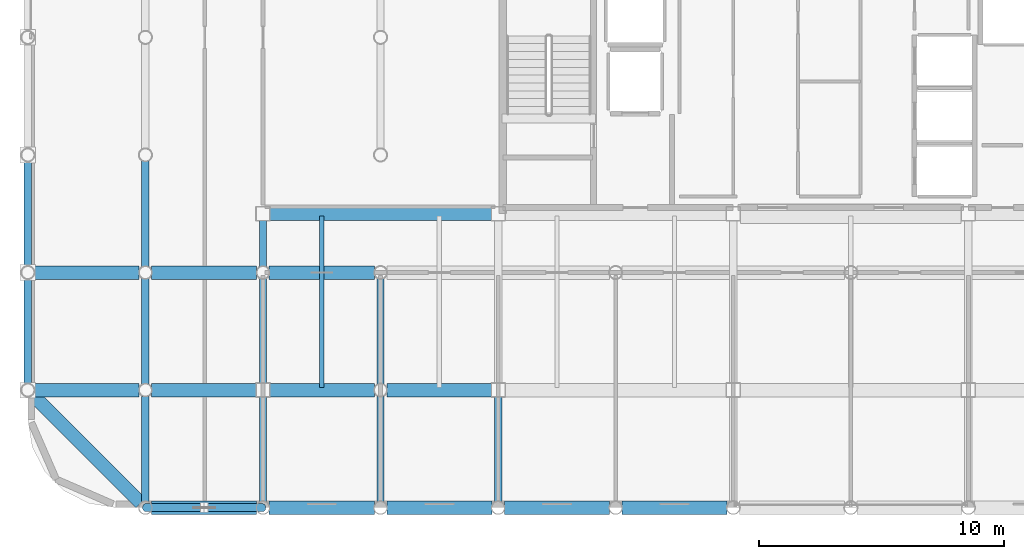
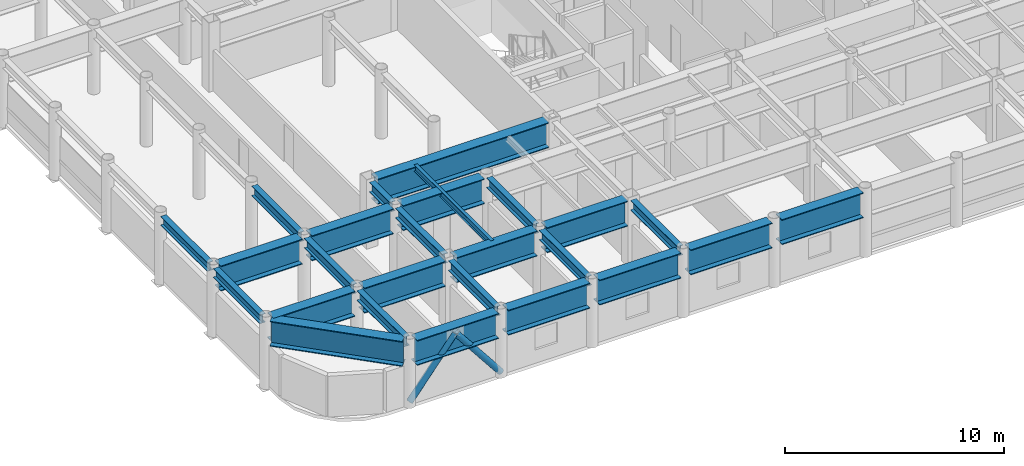
# One storey, part 3 of 25: 26 beams, 2 members.
"""IFC4 building model written with IfcOpenShell, lengths in metres."""

from ifc_helpers import new_model, si_unit, direction, frame, origin, origin_2d, place, context, subcontext, project, spatial, hollow_circle, i_section, extrude, material, material_profile, profile_set, type_object, element, save


model = new_model("IFC4")

# Units and contexts
model_context = context("Model", 3, precision=1e-05, world=origin(), true_north=direction((0.0, 1.0)))
body_context = subcontext(model_context, "Body", "Model", "MODEL_VIEW")
ifc_project = project(units=[si_unit("LENGTHUNIT", "METRE"), si_unit("AREAUNIT", "SQUARE_METRE"), si_unit("VOLUMEUNIT", "CUBIC_METRE"), si_unit("PLANEANGLEUNIT", "RADIAN"), si_unit("MASSUNIT", "GRAM", prefix="KILO")], contexts=[model_context])

# Site, building, storey
site_placement = place(None, origin())
site = spatial("IfcSite", under=ifc_project, at=site_placement, CompositionType="ELEMENT")
building_placement = place(site_placement, origin())
building = spatial("IfcBuilding", under=site, at=building_placement, Name="Kallvorn Hotel Tower", CompositionType="ELEMENT")
storey_placement = place(building_placement, frame((0.0, 0.0, 249.25)))
storey = spatial("IfcBuildingStorey", under=building, at=storey_placement, Name="L62", CompositionType="ELEMENT", Elevation=249.25)

# Beams
ifc_material_1 = material(Name="Structural steel S355JR", Category="steel")
ifc_material_profile_1 = material_profile(ifc_material_1, i_section(OverallWidth=0.300048828125, OverallDepth=0.5, WebThickness=0.014404296875, FlangeThickness=0.028076171875, at=origin_2d()), Name="HE 500 B")
ifc_profile_set_1 = profile_set([ifc_material_profile_1], Name="Structural steel S355JR")
beam_type_1 = type_object("IfcBeamType", Name="BM_HE500B", PredefinedType="SPANDREL", material=ifc_profile_set_1)
beam_1_placement = place(storey_placement, frame((-33.60009765625, -14.130615234375, 3.419921875), z_axis=(0.0, 1.0, 0.0), x_axis=(-1.0, 0.0, 0.0)))
element("IfcBeam", 1, at=beam_1_placement, inside=storey, type_object=beam_type_1, Name="L63 Perimeter Spandrel 174", PredefinedType="SPANDREL", context=body_context, shape_type="SweptSolid", body=[
    extrude(i_section(OverallWidth=0.300048828125, OverallDepth=0.5, WebThickness=0.014404296875, FlangeThickness=0.028076171875, at=origin_2d()), origin(), (0.0, 0.0, 1.0), 4.26123046875),
])
beam_2_placement = place(storey_placement, frame((-33.60009765625, -9.33056640625, 3.419921875), z_axis=(0.0, 1.0, 0.0), x_axis=(-1.0, 0.0, 0.0)))
element("IfcBeam", 2, at=beam_2_placement, inside=storey, type_object=beam_type_1, Name="L63 Perimeter Spandrel 175", PredefinedType="SPANDREL", context=body_context, shape_type="SweptSolid", body=[
    extrude(i_section(OverallWidth=0.300048828125, OverallDepth=0.5, WebThickness=0.014404296875, FlangeThickness=0.028076171875, at=origin_2d()), origin(), (0.0, 0.0, 1.0), 4.260986328125),
])
ifc_material_2 = material(Name="Structural steel S355JR", Category="steel")
ifc_material_profile_2 = material_profile(ifc_material_2, i_section(OverallWidth=0.300048828125, OverallDepth=0.550048828125, WebThickness=0.014892578125, FlangeThickness=0.029052734375, at=origin_2d()), Name="HE 550 B")
ifc_profile_set_2 = profile_set([ifc_material_profile_2], Name="Structural steel S355JR")
beam_type_2 = type_object("IfcBeamType", Name="BM_HE550B", PredefinedType="SPANDREL", material=ifc_profile_set_2)
for number, where, z_axis, x_axis, name in (
    (3, (-28.800048828125, -18.945556640625, 3.39501953125), (0.0, 1.0, 0.0), (-1.0, 0.0, 0.0), "L63 Primary Y-Girder 73"),
    (4, (-28.800048828125, -14.1455078125, 3.39501953125), (0.0, 1.0, 0.0), (-1.0, 0.0, 0.0), "L63 Primary Y-Girder 74"),
    (5, (-28.800048828125, -9.345458984375, 3.39501953125), (0.0, 1.0, 0.0), (-1.0, 0.0, 0.0), "L63 Primary Y-Girder 75"),
):
    element("IfcBeam", number, at=place(storey_placement, frame(where, z_axis=z_axis, x_axis=x_axis)), inside=storey, type_object=beam_type_2, Name=name, PredefinedType="SPANDREL", context=body_context, shape_type="SweptSolid", body=[
        extrude(i_section(OverallWidth=0.300048828125, OverallDepth=0.550048828125, WebThickness=0.014892578125, FlangeThickness=0.029052734375, at=origin_2d()), origin(), (0.0, 0.0, 1.0), 4.291015625),
    ])
for number, where, z_axis, x_axis, name in (
    (6, (-24.0, -18.945556640625, 3.39501953125), (0.0, 1.0, 0.0), (-1.0, 0.0, 0.0), "L63 Primary Y-Girder 82"),
    (7, (-24.0, -14.125, 3.39501953125), (0.0, 1.0, 0.0), (-1.0, 0.0, 0.0), "L63 Primary Y-Girder 83"),
):
    element("IfcBeam", number, at=place(storey_placement, frame(where, z_axis=z_axis, x_axis=x_axis)), inside=storey, type_object=beam_type_2, Name=name, PredefinedType="SPANDREL", context=body_context, shape_type="SweptSolid", body=[
        extrude(i_section(OverallWidth=0.300048828125, OverallDepth=0.550048828125, WebThickness=0.014892578125, FlangeThickness=0.029052734375, at=origin_2d()), origin(), (0.0, 0.0, 1.0), 4.2705078125),
    ])
beam_3_placement = place(storey_placement, frame((-24.0, -9.345458984375, 3.39501953125), z_axis=(0.0, 1.0, 0.0), x_axis=(-1.0, 0.0, 0.0)))
element("IfcBeam", 8, at=beam_3_placement, inside=storey, type_object=beam_type_2, Name="L63 Primary Y-Girder 84", PredefinedType="SPANDREL", context=body_context, shape_type="SweptSolid", body=[
    extrude(i_section(OverallWidth=0.300048828125, OverallDepth=0.550048828125, WebThickness=0.014892578125, FlangeThickness=0.029052734375, at=origin_2d()), origin(), (0.0, 0.0, 1.0), 1.870361328125),
])
for number, where, z_axis, x_axis, name in (
    (9, (-19.199951171875, -18.945556640625, 3.39501953125), (0.0, 1.0, 0.0), (-1.0, 0.0, 0.0), "L63 Primary Y-Girder 89"),
    (10, (-19.199951171875, -14.1455078125, 3.39501953125), (0.0, 1.0, 0.0), (-1.0, 0.0, 0.0), "L63 Primary Y-Girder 90"),
):
    element("IfcBeam", number, at=place(storey_placement, frame(where, z_axis=z_axis, x_axis=x_axis)), inside=storey, type_object=beam_type_2, Name=name, PredefinedType="SPANDREL", context=body_context, shape_type="SweptSolid", body=[
        extrude(i_section(OverallWidth=0.300048828125, OverallDepth=0.550048828125, WebThickness=0.014892578125, FlangeThickness=0.029052734375, at=origin_2d()), origin(), (0.0, 0.0, 1.0), 4.291015625),
    ])
beam_4_placement = place(storey_placement, frame((-14.39990234375, -18.945556640625, 3.39501953125), z_axis=(0.0, 1.0, 0.0), x_axis=(-1.0, 0.0, 0.0)))
element("IfcBeam", 11, at=beam_4_placement, inside=storey, type_object=beam_type_2, Name="L63 Primary Y-Girder 98", PredefinedType="SPANDREL", context=body_context, shape_type="SweptSolid", body=[
    extrude(i_section(OverallWidth=0.300048828125, OverallDepth=0.550048828125, WebThickness=0.014892578125, FlangeThickness=0.029052734375, at=origin_2d()), origin(), (0.0, 0.0, 1.0), 4.2705078125),
])
ifc_material_3 = material(Name="Structural steel S355JR", Category="steel")
ifc_material_profile_3 = material_profile(ifc_material_3, i_section(OverallWidth=0.169921875, OverallDepth=0.360107421875, WebThickness=0.008056640625, FlangeThickness=0.0126953125, at=origin_2d()), Name="IPE 360")
ifc_profile_set_3 = profile_set([ifc_material_profile_3], Name="Structural steel S355JR")
beam_type_3 = type_object("IfcBeamType", Name="BM_IPE360", PredefinedType="JOIST", material=ifc_profile_set_3)
beam_5_placement = place(storey_placement, frame((-21.60009765625, -14.300048828125, 3.489990234375), z_axis=(0.0, 1.0, 0.0), x_axis=(-1.0, 0.0, 0.0)))
element("IfcBeam", 12, at=beam_5_placement, inside=storey, type_object=beam_type_3, Name="L63 Secondary Composite Joist 192", PredefinedType="JOIST", context=body_context, shape_type="SweptSolid", body=[
    extrude(i_section(OverallWidth=0.169921875, OverallDepth=0.360107421875, WebThickness=0.008056640625, FlangeThickness=0.0126953125, at=origin_2d()), origin(), (0.0, 0.0, 1.0), 7.0),
])
ifc_material_4 = material(Name="Structural steel S355JR", Category="steel")
ifc_material_profile_4 = material_profile(ifc_material_4, i_section(OverallWidth=0.550048828125, OverallDepth=1.39990234375, WebThickness=0.02490234375, FlangeThickness=0.044921875, at=origin_2d()), Name="PG 1400x550x25x45")
ifc_profile_set_4 = profile_set([ifc_material_profile_4], Name="Structural steel S355JR")
beam_type_4 = type_object("IfcBeamType", Name="BM_PG_1400", PredefinedType="BEAM", material=ifc_profile_set_4)
for number, where, z_axis, x_axis, name in (
    (13, (-28.54541015625, -19.199951171875, 2.969970703125), (1.0, 0.0, 0.0), (0.0, 1.0, 0.0), "L63 Primary X-Girder 01"),
    (14, (-23.74560546875, -19.199951171875, 2.969970703125), (1.0, 0.0, 0.0), (0.0, 1.0, 0.0), "L63 Primary X-Girder 02"),
    (15, (-18.945556640625, -19.199951171875, 2.969970703125), (1.0, 0.0, 0.0), (0.0, 1.0, 0.0), "L63 Primary X-Girder 03"),
    (16, (-14.1455078125, -19.199951171875, 2.969970703125), (1.0, 0.0, 0.0), (0.0, 1.0, 0.0), "L63 Primary X-Girder 04"),
    (17, (-9.345458984375, -19.199951171875, 2.969970703125), (1.0, 0.0, 0.0), (0.0, 1.0, 0.0), "L63 Primary X-Girder 05"),
    (18, (-33.345458984375, -14.39990234375, 2.969970703125), (1.0, 0.0, 0.0), (0.0, 1.0, 0.0), "L63 Primary X-Girder 13"),
):
    element("IfcBeam", number, at=place(storey_placement, frame(where, z_axis=z_axis, x_axis=x_axis)), inside=storey, type_object=beam_type_4, Name=name, PredefinedType="BEAM", context=body_context, shape_type="SweptSolid", body=[
        extrude(i_section(OverallWidth=0.550048828125, OverallDepth=1.39990234375, WebThickness=0.02490234375, FlangeThickness=0.044921875, at=origin_2d()), origin(), (0.0, 0.0, 1.0), 4.291015625),
    ])
for number, where, z_axis, x_axis, name in (
    (19, (-28.54541015625, -14.39990234375, 2.969970703125), (1.0, 0.0, 0.0), (0.0, 1.0, 0.0), "L63 Primary X-Girder 14"),
    (20, (-23.72509765625, -14.39990234375, 2.969970703125), (1.0, 0.0, 0.0), (0.0, 1.0, 0.0), "L63 Primary X-Girder 15"),
    (21, (-18.945556640625, -14.39990234375, 2.969970703125), (1.0, 0.0, 0.0), (0.0, 1.0, 0.0), "L63 Primary X-Girder 16"),
):
    element("IfcBeam", number, at=place(storey_placement, frame(where, z_axis=z_axis, x_axis=x_axis)), inside=storey, type_object=beam_type_4, Name=name, PredefinedType="BEAM", context=body_context, shape_type="SweptSolid", body=[
        extrude(i_section(OverallWidth=0.550048828125, OverallDepth=1.39990234375, WebThickness=0.02490234375, FlangeThickness=0.044921875, at=origin_2d()), origin(), (0.0, 0.0, 1.0), 4.2705078125),
    ])
for number, where, z_axis, x_axis, name in (
    (22, (-33.345458984375, -9.60009765625, 2.969970703125), (1.0, 0.0, 0.0), (0.0, 1.0, 0.0), "L63 Primary X-Girder 23"),
    (23, (-28.54541015625, -9.60009765625, 2.969970703125), (1.0, 0.0, 0.0), (0.0, 1.0, 0.0), "L63 Primary X-Girder 24"),
    (24, (-23.74560546875, -9.60009765625, 2.969970703125), (1.0, 0.0, 0.0), (0.0, 1.0, 0.0), "L63 Primary X-Girder 25"),
):
    element("IfcBeam", number, at=place(storey_placement, frame(where, z_axis=z_axis, x_axis=x_axis)), inside=storey, type_object=beam_type_4, Name=name, PredefinedType="BEAM", context=body_context, shape_type="SweptSolid", body=[
        extrude(i_section(OverallWidth=0.550048828125, OverallDepth=1.39990234375, WebThickness=0.02490234375, FlangeThickness=0.044921875, at=origin_2d()), origin(), (0.0, 0.0, 1.0), 4.291015625),
    ])
beam_6_placement = place(storey_placement, frame((-23.72509765625, -7.199951171875, 2.969970703125), z_axis=(1.0, 0.0, 0.0), x_axis=(0.0, 1.0, 0.0)))
element("IfcBeam", 25, at=beam_6_placement, inside=storey, type_object=beam_type_4, Name="L63 Primary X-Girder 32", PredefinedType="BEAM", context=body_context, shape_type="SweptSolid", body=[
    extrude(i_section(OverallWidth=0.550048828125, OverallDepth=1.39990234375, WebThickness=0.02490234375, FlangeThickness=0.044921875, at=origin_2d()), origin(), (0.0, 0.0, 1.0), 9.050048828125),
])
beam_7_placement = place(storey_placement, frame((-33.409423828125, -14.590576171875, 2.969970703125), z_axis=(0.707106781187, -0.707106781187, 0.0), x_axis=(0.707106781187, 0.707106781187, 0.0)))
element("IfcBeam", 26, at=beam_7_placement, inside=storey, type_object=beam_type_4, Name="L63 Rounded Corner Tie Beam 189", PredefinedType="BEAM", context=body_context, shape_type="SweptSolid", body=[
    extrude(i_section(OverallWidth=0.550048828125, OverallDepth=1.39990234375, WebThickness=0.02490234375, FlangeThickness=0.044921875, at=origin_2d()), origin(), (0.0, 0.0, 1.0), 6.249267578125),
])

# Members
ifc_material_5 = material(Name="Structural steel S355J2H", Category="steel")
ifc_material_profile_5 = material_profile(ifc_material_5, hollow_circle(Radius=0.161865234375, WallThickness=0.012451171875, at=origin_2d()), Name="CHS 323.9x12.5")
ifc_profile_set_5 = profile_set([ifc_material_profile_5], Name="Structural steel S355J2H")
member_type = type_object("IfcMemberType", Name="MBR_EXO_CHS323", PredefinedType="BRACE", material=ifc_profile_set_5)
for number, where, z_axis, x_axis, name in (
    (27, (-28.78759765625, -19.199951171875, 0.19580078125), (0.620928510901, 0.0, 0.783867198159), (0.0, 1.0, 0.0), "L62 Exoskeleton K-Brace S1A"),
    (28, (-24.012451171875, -19.199951171875, 0.19580078125), (-0.620928510901, 0.0, 0.783867198159), (0.0, -1.0, 0.0), "L62 Exoskeleton K-Brace S1B"),
):
    element("IfcMember", number, at=place(storey_placement, frame(where, z_axis=z_axis, x_axis=x_axis)), inside=storey, type_object=member_type, Name=name, PredefinedType="BRACE", context=body_context, shape_type="SweptSolid", body=[
        extrude(hollow_circle(Radius=0.161865234375, WallThickness=0.012451171875, at=origin_2d()), origin(), (0.0, 0.0, 1.0), 3.8251953125),
    ])

save(model, "model.ifc")
